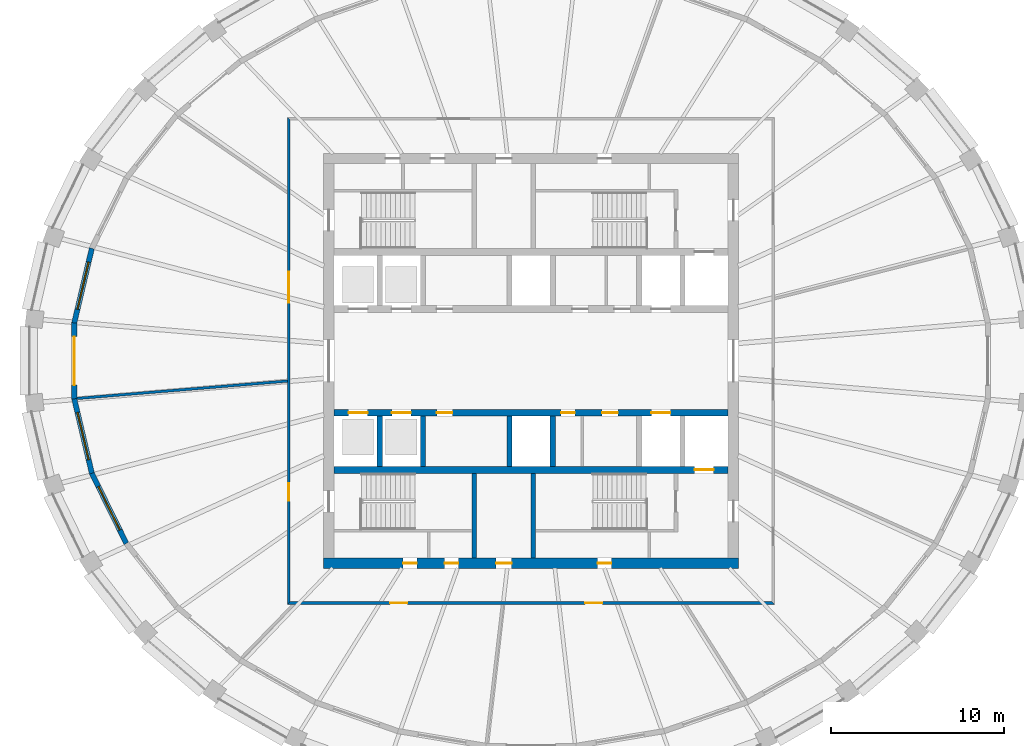
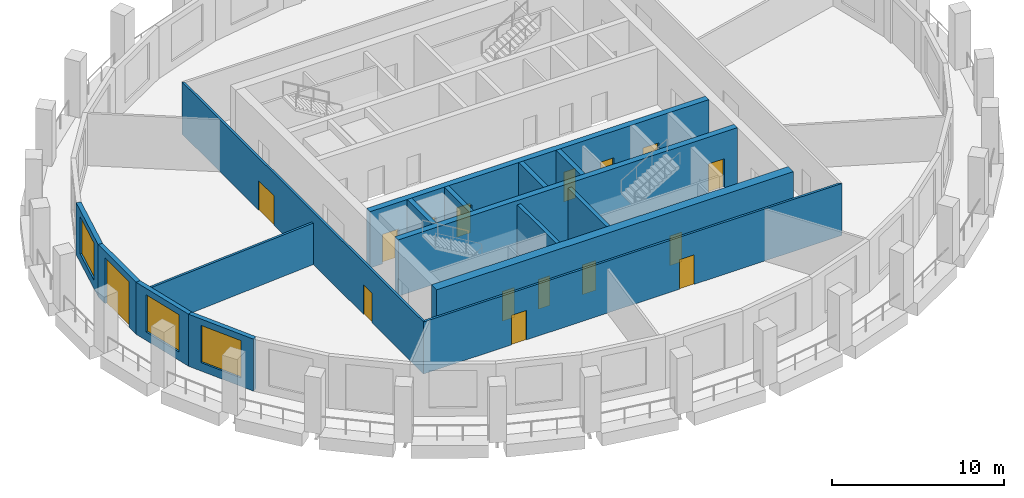
# One storey, part 3 of 10: 16 doors, 16 walls, 3 windows, 19 openings.
"""IFC4 building model written with IfcOpenShell, lengths in metres."""

from ifc_helpers import new_model, si_unit, direction, frame, frame_2d, origin, place, context, subcontext, project, spatial, polyline, rectangle, outline, extrude, material, layer, layer_set, type_object, element, fill, save


model = new_model("IFC4")

# Units and contexts
model_context = context("Model", 3, precision=1e-05, world=origin(), true_north=direction((0.0, 1.0)))
body_context = subcontext(model_context, "Body", "Model", "MODEL_VIEW")
ifc_project = project(units=[si_unit("LENGTHUNIT", "METRE"), si_unit("AREAUNIT", "SQUARE_METRE"), si_unit("VOLUMEUNIT", "CUBIC_METRE"), si_unit("PLANEANGLEUNIT", "RADIAN"), si_unit("MASSUNIT", "GRAM", prefix="KILO")], contexts=[model_context])

# Site, building, storey
site_placement = place(None, origin())
site = spatial("IfcSite", under=ifc_project, at=site_placement, CompositionType="ELEMENT")
building_placement = place(site_placement, origin())
building = spatial("IfcBuilding", under=site, at=building_placement, Name="Halqa Exchange Tower", CompositionType="ELEMENT")
storey_placement = place(building_placement, frame((0.0, 0.0, 300.300048828125)))
storey = spatial("IfcBuildingStorey", under=building, at=storey_placement, Name="L70", CompositionType="ELEMENT", Elevation=300.300048828125)

# Wall, openings, doors
ifc_material_1 = material(Name="Fire-rated gypsum board")
ifc_layer_1 = layer(ifc_material_1, 0.14990234375)
ifc_layer_set_1 = layer_set([ifc_layer_1], Name="Fire-rated gypsum board")
wall_type_1 = type_object("IfcWallType", Name="Fire partition EI 60 150", PredefinedType="PARTITIONING", material=ifc_layer_set_1)
wall_1_placement = place(storey_placement, frame((-14.0, -14.074951171875, 0.0), z_axis=(0.0, 0.0, 1.0), x_axis=(0.0, 1.0, 0.0)))
wall_1 = element("IfcWall", 1, at=wall_1_placement, inside=storey, type_object=wall_type_1, Name="L70-PWL-002", PredefinedType="PARTITIONING", context=body_context, shape_type="SweptSolid", body=[
    extrude(outline(polyline([(0.14990234375, -0.074951171875), (2.13916015625, -0.074951171875), (4.12841796875, -0.074951171875), (6.11767578125, -0.074951171875), (8.107177734375, -0.074951171875), (10.096435546875, -0.074951171875), (12.085693359375, -0.074951171875), (14.074951171875, -0.074951171875), (16.064208984375, -0.074951171875), (18.053466796875, -0.074951171875), (20.042724609375, -0.074951171875), (22.0322265625, -0.074951171875), (24.021484375, -0.074951171875), (26.0107421875, -0.074951171875), (28.0, -0.074951171875), (28.14990234375, 0.074951171875), (26.273193359375, 0.074951171875), (24.396484375, 0.074951171875), (22.52001953125, 0.074951171875), (20.643310546875, 0.074951171875), (18.7666015625, 0.074951171875), (16.889892578125, 0.074951171875), (15.01318359375, 0.074951171875), (13.13671875, 0.074951171875), (11.260009765625, 0.074951171875), (9.38330078125, 0.074951171875), (7.506591796875, 0.074951171875), (5.6298828125, 0.074951171875), (3.75341796875, 0.074951171875), (1.876708984375, 0.074951171875), (0.0, 0.074951171875), (0.14990234375, -0.074951171875)])), origin(), (0.0, 0.0, 1.0), 3.699951171875),
])
opening_1_placement = place(wall_1_placement, frame((17.429931640625, 0.0, 0.0)))
opening_1 = element("IfcOpeningElement", 2, at=opening_1_placement, cuts=wall_1, Name="Opening 21-01", PredefinedType="OPENING", context=body_context, shape_type="SweptSolid", body=[
    extrude(rectangle(XDim=1.800048828125, YDim=2.10009765625, at=frame_2d((0.89990234375, 1.050048828125))), frame((0.0, 0.0869140625, 0.0), z_axis=(0.0, -1.0, 0.0), x_axis=(1.0, 0.0, 0.0)), (0.0, 0.0, 1.0), 0.173828125),
])
opening_2_placement = place(wall_1_placement, frame((5.9951171875, 0.0, 0.0)))
opening_2 = element("IfcOpeningElement", 3, at=opening_2_placement, cuts=wall_1, Name="Opening 21-02", PredefinedType="OPENING", context=body_context, shape_type="SweptSolid", body=[
    extrude(rectangle(XDim=1.0, YDim=2.10009765625, at=frame_2d((0.5, 1.050048828125))), frame((0.0, 0.0869140625, 0.0), z_axis=(0.0, -1.0, 0.0), x_axis=(1.0, 0.0, 0.0)), (0.0, 0.0, 1.0), 0.173828125),
])
ifc_material_2 = material(Name="Steel fire door leaf", Category="steel")
door_type_1 = type_object("IfcDoorType", Name="Fire door FD30S 1000 x 2100", OperationType="SINGLE_SWING_LEFT", PredefinedType="DOOR", material=ifc_material_2)
door_1_placement = place(opening_2_placement, origin())
door_1 = element("IfcDoor", 4, at=door_1_placement, inside=storey, type_object=door_type_1, Name="L70-IDR-002", OperationType="SINGLE_SWING_LEFT", OverallHeight=2.10009765625, OverallWidth=1.0, PredefinedType="DOOR", context=body_context, shape_type="SweptSolid", body=[
    extrude(rectangle(XDim=1.0, YDim=2.10009765625, at=frame_2d((0.5, 1.050048828125))), frame((0.0, 0.02490234375, 0.0), z_axis=(0.0, -1.0, 0.0), x_axis=(1.0, 0.0, 0.0)), (0.0, 0.0, 1.0), 0.050048828125),
])
fill(opening_2, door_1)
door_type_2 = type_object("IfcDoorType", Name="Fire door FD30S double 1800 x 2100", OperationType="DOUBLE_DOOR_SINGLE_SWING", PredefinedType="DOOR", material=ifc_material_2)
door_2_placement = place(opening_1_placement, origin())
door_2 = element("IfcDoor", 5, at=door_2_placement, inside=storey, type_object=door_type_2, Name="L70-IDR-001", OperationType="DOUBLE_DOOR_SINGLE_SWING", OverallHeight=2.10009765625, OverallWidth=1.800048828125, PredefinedType="DOOR", context=body_context, shape_type="SweptSolid", body=[
    extrude(rectangle(XDim=1.800048828125, YDim=2.10009765625, at=frame_2d((0.89990234375, 1.050048828125))), frame((0.0, 0.02490234375, 0.0), z_axis=(0.0, -1.0, 0.0), x_axis=(1.0, 0.0, 0.0)), (0.0, 0.0, 1.0), 0.050048828125),
])
fill(opening_1, door_2)

wall_2_placement = place(storey_placement, frame((-14.074951171875, -14.0, 0.0), z_axis=(0.0, 0.0, 1.0), x_axis=(1.0, 0.0, 0.0)))
wall_2 = element("IfcWall", 6, at=wall_2_placement, inside=storey, type_object=wall_type_1, Name="L70-PWL-003", PredefinedType="PARTITIONING", context=body_context, shape_type="SweptSolid", body=[
    extrude(outline(polyline([(0.0, -0.074951171875), (1.876708984375, -0.074951171875), (3.75341796875, -0.074951171875), (5.6298828125, -0.074951171875), (7.506591796875, -0.074951171875), (9.38330078125, -0.074951171875), (11.260009765625, -0.074951171875), (13.13671875, -0.074951171875), (15.01318359375, -0.074951171875), (16.889892578125, -0.074951171875), (18.7666015625, -0.074951171875), (20.643310546875, -0.074951171875), (22.52001953125, -0.074951171875), (24.396484375, -0.074951171875), (26.273193359375, -0.074951171875), (28.14990234375, -0.074951171875), (28.0, 0.074951171875), (26.0107421875, 0.074951171875), (24.021484375, 0.074951171875), (22.0322265625, 0.074951171875), (20.042724609375, 0.074951171875), (18.053466796875, 0.074951171875), (16.064208984375, 0.074951171875), (14.074951171875, 0.074951171875), (12.085693359375, 0.074951171875), (10.096435546875, 0.074951171875), (8.107177734375, 0.074951171875), (6.11767578125, 0.074951171875), (4.12841796875, 0.074951171875), (2.13916015625, 0.074951171875), (0.14990234375, 0.074951171875), (0.0, -0.074951171875)])), origin(), (0.0, 0.0, 1.0), 3.699951171875),
])
opening_3_placement = place(wall_2_placement, frame((5.929931640625, 0.0, 0.0)))
opening_3 = element("IfcOpeningElement", 7, at=opening_3_placement, cuts=wall_2, Name="Opening 21-03", PredefinedType="OPENING", context=body_context, shape_type="SweptSolid", body=[
    extrude(rectangle(XDim=1.0, YDim=2.10009765625, at=frame_2d((0.5, 1.050048828125))), frame((0.0, 0.0869140625, 0.0), z_axis=(0.0, -1.0, 0.0), x_axis=(1.0, 0.0, 0.0)), (0.0, 0.0, 1.0), 0.173828125),
])
opening_4_placement = place(wall_2_placement, frame((17.199951171875, 0.0, 0.0)))
opening_4 = element("IfcOpeningElement", 8, at=opening_4_placement, cuts=wall_2, Name="Opening 21-04", PredefinedType="OPENING", context=body_context, shape_type="SweptSolid", body=[
    extrude(rectangle(XDim=1.0, YDim=2.10009765625, at=frame_2d((0.5, 1.050048828125))), frame((0.0, 0.0869140625, 0.0), z_axis=(0.0, -1.0, 0.0), x_axis=(1.0, 0.0, 0.0)), (0.0, 0.0, 1.0), 0.173828125),
])
door_3_placement = place(opening_3_placement, frame((1.0, 0.0, 0.0), z_axis=(0.0, 0.0, 1.0), x_axis=(-1.0, 0.0, 0.0)))
door_3 = element("IfcDoor", 9, at=door_3_placement, inside=storey, type_object=door_type_1, Name="L70-IDR-003", OperationType="SINGLE_SWING_RIGHT", OverallHeight=2.10009765625, OverallWidth=1.0, PredefinedType="DOOR", context=body_context, shape_type="SweptSolid", body=[
    extrude(rectangle(XDim=1.0, YDim=2.10009765625, at=frame_2d((0.5, 1.050048828125))), frame((0.0, 0.02490234375, 0.0), z_axis=(0.0, -1.0, 0.0), x_axis=(1.0, 0.0, 0.0)), (0.0, 0.0, 1.0), 0.050048828125),
])
fill(opening_3, door_3)
door_4_placement = place(opening_4_placement, frame((1.0, 0.0, 0.0), z_axis=(0.0, 0.0, 1.0), x_axis=(-1.0, 0.0, 0.0)))
door_4 = element("IfcDoor", 10, at=door_4_placement, inside=storey, type_object=door_type_1, Name="L70-IDR-004", OperationType="SINGLE_SWING_LEFT", OverallHeight=2.10009765625, OverallWidth=1.0, PredefinedType="DOOR", context=body_context, shape_type="SweptSolid", body=[
    extrude(rectangle(XDim=1.0, YDim=2.10009765625, at=frame_2d((0.5, 1.050048828125))), frame((0.0, 0.02490234375, 0.0), z_axis=(0.0, -1.0, 0.0), x_axis=(1.0, 0.0, 0.0)), (0.0, 0.0, 1.0), 0.050048828125),
])
fill(opening_4, door_4)

# Walls
wall_3_placement = place(storey_placement, frame((-14.0693359375, -1.165771484375, 0.0), z_axis=(0.0, 0.0, 1.0), x_axis=(-0.99659010846, -0.082511549014, 0.0)))
element("IfcWall", 11, at=wall_3_placement, inside=storey, type_object=wall_type_1, Name="L70-PWL-004", PredefinedType="PARTITIONING", context=body_context, shape_type="SweptSolid", body=[
    extrude(outline(polyline([(12.22314453125, -0.074951171875), (12.22314453125, 0.046630859375), (12.218994140625, 0.074951171875), (10.47509765625, 0.074951171875), (8.731201171875, 0.074951171875), (6.9873046875, 0.074951171875), (5.243408203125, 0.074951171875), (3.49951171875, 0.074951171875), (1.755859375, 0.074951171875), (0.011962890625, 0.074951171875), (0.0, -0.068603515625), (0.0, -0.074951171875), (1.74609375, -0.074951171875), (3.492431640625, -0.074951171875), (5.238525390625, -0.074951171875), (6.984619140625, -0.074951171875), (8.730712890625, -0.074951171875), (10.47705078125, -0.074951171875), (12.22314453125, -0.074951171875)])), origin(), (0.0, 0.0, 1.0), 2.947021484375),
])
ifc_material_3 = material(Name="Concrete C60/75", Category="concrete")
ifc_layer_2 = layer(ifc_material_3, 0.300048828125)
ifc_layer_set_2 = layer_set([ifc_layer_2], Name="Concrete C60/75")
wall_type_2 = type_object("IfcWallType", Name="RC core wall 300", PredefinedType="SHEAR", material=ifc_layer_set_2)
for number, where, z_axis, x_axis, name in (
    (12, (-8.75, -6.10009765625, 0.0), (0.0, 0.0, 1.0), (0.0, 1.0, 0.0), "Shaft divider S1"),
    (13, (-6.25, -6.10009765625, 0.0), (0.0, 0.0, 1.0), (0.0, 1.0, 0.0), "Shaft divider S2"),
    (14, (-1.25, -6.10009765625, 0.0), (0.0, 0.0, 1.0), (0.0, 1.0, 0.0), "Shaft divider S4"),
    (15, (1.25, -6.10009765625, 0.0), (0.0, 0.0, 1.0), (0.0, 1.0, 0.0), "Shaft divider S5"),
):
    element("IfcWall", number, at=place(storey_placement, frame(where, z_axis=z_axis, x_axis=x_axis)), inside=storey, type_object=wall_type_2, Name=name, PredefinedType="SHEAR", context=body_context, shape_type="SweptSolid", body=[
        extrude(rectangle(XDim=2.900146484375, YDim=0.300048828125, at=frame_2d((1.4501953125, 0.0))), origin(), (0.0, 0.0, 1.0), 4.0),
    ])

# Wall, openings, doors
ifc_layer_3 = layer(ifc_material_3, 0.39990234375)
ifc_layer_set_3 = layer_set([ifc_layer_3], Name="Concrete C60/75")
wall_type_3 = type_object("IfcWallType", Name="RC core wall 400 C60/75", PredefinedType="SHEAR", material=ifc_layer_set_3)
wall_4_placement = place(storey_placement, frame((-11.39990234375, -3.0, 0.0), z_axis=(0.0, 0.0, 1.0), x_axis=(1.0, 0.0, 0.0)))
wall_4 = element("IfcWall", 16, at=wall_4_placement, inside=storey, type_object=wall_type_3, Name="Lift row front wall S", PredefinedType="SHEAR", context=body_context, shape_type="SweptSolid", body=[
    extrude(rectangle(XDim=22.7998046875, YDim=0.39990234375, at=frame_2d((11.39990234375, 0.0))), origin(), (0.0, 0.0, 1.0), 4.0),
])
opening_5_placement = place(wall_4_placement, frame((0.85009765625, 0.0, 0.0)))
opening_5 = element("IfcOpeningElement", 17, at=opening_5_placement, cuts=wall_4, Name="Opening LD-HR3-T21", PredefinedType="OPENING", context=body_context, shape_type="SweptSolid", body=[
    extrude(rectangle(XDim=1.10009765625, YDim=2.10009765625, at=frame_2d((0.550048828125, 1.050048828125))), frame((0.0, 0.2119140625, 0.0), z_axis=(0.0, -1.0, 0.0), x_axis=(1.0, 0.0, 0.0)), (0.0, 0.0, 1.0), 0.423828125),
])
opening_6_placement = place(wall_4_placement, frame((3.35009765625, 0.0, 0.0)))
opening_6 = element("IfcOpeningElement", 18, at=opening_6_placement, cuts=wall_4, Name="Opening LD-HR4-T21", PredefinedType="OPENING", context=body_context, shape_type="SweptSolid", body=[
    extrude(rectangle(XDim=1.10009765625, YDim=2.10009765625, at=frame_2d((0.550048828125, 1.050048828125))), frame((0.0, 0.2119140625, 0.0), z_axis=(0.0, -1.0, 0.0), x_axis=(1.0, 0.0, 0.0)), (0.0, 0.0, 1.0), 0.423828125),
])
opening_7_placement = place(wall_4_placement, frame((18.35009765625, 0.0, 0.0)))
opening_7 = element("IfcOpeningElement", 19, at=opening_7_placement, cuts=wall_4, Name="Opening LD-SV2-T21", PredefinedType="OPENING", context=body_context, shape_type="SweptSolid", body=[
    extrude(rectangle(XDim=1.10009765625, YDim=2.10009765625, at=frame_2d((0.550048828125, 1.050048828125))), frame((0.0, 0.2119140625, 0.0), z_axis=(0.0, -1.0, 0.0), x_axis=(1.0, 0.0, 0.0)), (0.0, 0.0, 1.0), 0.423828125),
])
opening_8_placement = place(wall_4_placement, frame((13.137451171875, 0.0, 0.0)))
opening_8 = element("IfcOpeningElement", 20, at=opening_8_placement, cuts=wall_4, Name="Opening T21-C28", PredefinedType="OPENING", context=body_context, shape_type="SweptSolid", body=[
    extrude(rectangle(XDim=0.800048828125, YDim=2.10009765625, at=frame_2d((0.39990234375, 1.050048828125))), frame((0.0, 0.2119140625, 0.0), z_axis=(0.0, -1.0, 0.0), x_axis=(1.0, 0.0, 0.0)), (0.0, 0.0, 1.0), 0.423828125),
])
opening_9_placement = place(wall_4_placement, frame((15.512451171875, 0.0, 0.0)))
opening_9 = element("IfcOpeningElement", 21, at=opening_9_placement, cuts=wall_4, Name="Opening T21-C29", PredefinedType="OPENING", context=body_context, shape_type="SweptSolid", body=[
    extrude(rectangle(XDim=0.89990234375, YDim=2.10009765625, at=frame_2d((0.449951171875, 1.050048828125))), frame((0.0, 0.2119140625, 0.0), z_axis=(0.0, -1.0, 0.0), x_axis=(1.0, 0.0, 0.0)), (0.0, 0.0, 1.0), 0.423828125),
])
opening_10_placement = place(wall_4_placement, frame((5.949951171875, 0.0, 0.0)))
opening_10 = element("IfcOpeningElement", 22, at=opening_10_placement, cuts=wall_4, Name="Opening T21-C30", PredefinedType="OPENING", context=body_context, shape_type="SweptSolid", body=[
    extrude(rectangle(XDim=0.89990234375, YDim=2.10009765625, at=frame_2d((0.449951171875, 1.050048828125))), frame((0.0, 0.2119140625, 0.0), z_axis=(0.0, -1.0, 0.0), x_axis=(1.0, 0.0, 0.0)), (0.0, 0.0, 1.0), 0.423828125),
])
ifc_material_4 = material(Name="Timber fire door leaf", Category="wood")
door_type_3 = type_object("IfcDoorType", Name="Core room door FD30 900 x 2100", OperationType="SINGLE_SWING_LEFT", PredefinedType="DOOR", material=ifc_material_4)
door_5_placement = place(opening_9_placement, frame((0.89990234375, 0.0, 0.0), z_axis=(0.0, 0.0, 1.0), x_axis=(-1.0, 0.0, 0.0)))
door_5 = element("IfcDoor", 23, at=door_5_placement, inside=storey, type_object=door_type_3, Name="Core room door", OperationType="SINGLE_SWING_RIGHT", OverallHeight=2.10009765625, OverallWidth=0.89990234375, PredefinedType="DOOR", context=body_context, shape_type="SweptSolid", body=[
    extrude(rectangle(XDim=0.89990234375, YDim=2.10009765625, at=frame_2d((0.449951171875, 1.050048828125))), frame((0.0, 0.02490234375, 0.0), z_axis=(0.0, -1.0, 0.0), x_axis=(1.0, 0.0, 0.0)), (0.0, 0.0, 1.0), 0.050048828125),
])
fill(opening_9, door_5)
door_6_placement = place(opening_10_placement, frame((0.89990234375, 0.0, 0.0), z_axis=(0.0, 0.0, 1.0), x_axis=(-1.0, 0.0, 0.0)))
door_6 = element("IfcDoor", 24, at=door_6_placement, inside=storey, type_object=door_type_3, Name="Core room door", OperationType="SINGLE_SWING_LEFT", OverallHeight=2.10009765625, OverallWidth=0.89990234375, PredefinedType="DOOR", context=body_context, shape_type="SweptSolid", body=[
    extrude(rectangle(XDim=0.89990234375, YDim=2.10009765625, at=frame_2d((0.449951171875, 1.050048828125))), frame((0.0, 0.02490234375, 0.0), z_axis=(0.0, -1.0, 0.0), x_axis=(1.0, 0.0, 0.0)), (0.0, 0.0, 1.0), 0.050048828125),
])
fill(opening_10, door_6)
ifc_material_5 = material(Name="Stainless steel", Category="steel")
door_type_4 = type_object("IfcDoorType", Name="Lift landing door 1100 x 2100", OperationType="SLIDING_TO_LEFT", PredefinedType="DOOR", material=ifc_material_5)
door_7_placement = place(opening_5_placement, origin())
door_7 = element("IfcDoor", 25, at=door_7_placement, inside=storey, type_object=door_type_4, Name="Lift landing door HR3", OperationType="SLIDING_TO_LEFT", OverallHeight=2.10009765625, OverallWidth=1.10009765625, PredefinedType="DOOR", context=body_context, shape_type="SweptSolid", body=[
    extrude(rectangle(XDim=1.10009765625, YDim=2.10009765625, at=frame_2d((0.550048828125, 1.050048828125))), frame((0.0, 0.02490234375, 0.0), z_axis=(0.0, -1.0, 0.0), x_axis=(1.0, 0.0, 0.0)), (0.0, 0.0, 1.0), 0.050048828125),
])
fill(opening_5, door_7)
door_8_placement = place(opening_6_placement, origin())
door_8 = element("IfcDoor", 26, at=door_8_placement, inside=storey, type_object=door_type_4, Name="Lift landing door HR4", OperationType="SLIDING_TO_LEFT", OverallHeight=2.10009765625, OverallWidth=1.10009765625, PredefinedType="DOOR", context=body_context, shape_type="SweptSolid", body=[
    extrude(rectangle(XDim=1.10009765625, YDim=2.10009765625, at=frame_2d((0.550048828125, 1.050048828125))), frame((0.0, 0.02490234375, 0.0), z_axis=(0.0, -1.0, 0.0), x_axis=(1.0, 0.0, 0.0)), (0.0, 0.0, 1.0), 0.050048828125),
])
fill(opening_6, door_8)
door_9_placement = place(opening_7_placement, origin())
door_9 = element("IfcDoor", 27, at=door_9_placement, inside=storey, type_object=door_type_4, Name="Lift landing door SV2", OperationType="SLIDING_TO_LEFT", OverallHeight=2.10009765625, OverallWidth=1.10009765625, PredefinedType="DOOR", context=body_context, shape_type="SweptSolid", body=[
    extrude(rectangle(XDim=1.10009765625, YDim=2.10009765625, at=frame_2d((0.550048828125, 1.050048828125))), frame((0.0, 0.02490234375, 0.0), z_axis=(0.0, -1.0, 0.0), x_axis=(1.0, 0.0, 0.0)), (0.0, 0.0, 1.0), 0.050048828125),
])
fill(opening_7, door_9)
door_type_5 = type_object("IfcDoorType", Name="Riser door FD60 800 x 2100", OperationType="SINGLE_SWING_LEFT", PredefinedType="DOOR", material=ifc_material_2)
door_10_placement = place(opening_8_placement, frame((0.800048828125, 0.0, 0.0), z_axis=(0.0, 0.0, 1.0), x_axis=(-1.0, 0.0, 0.0)))
door_10 = element("IfcDoor", 28, at=door_10_placement, inside=storey, type_object=door_type_5, Name="Core room door", OperationType="SINGLE_SWING_RIGHT", OverallHeight=2.10009765625, OverallWidth=0.800048828125, PredefinedType="DOOR", context=body_context, shape_type="SweptSolid", body=[
    extrude(rectangle(XDim=0.800048828125, YDim=2.10009765625, at=frame_2d((0.39990234375, 1.050048828125))), frame((0.0, 0.02490234375, 0.0), z_axis=(0.0, -1.0, 0.0), x_axis=(1.0, 0.0, 0.0)), (0.0, 0.0, 1.0), 0.050048828125),
])
fill(opening_8, door_10)

# Wall, opening, door
wall_5_placement = place(storey_placement, frame((-11.39990234375, -6.300048828125, 0.0), z_axis=(0.0, 0.0, 1.0), x_axis=(1.0, 0.0, 0.0)))
wall_5 = element("IfcWall", 29, at=wall_5_placement, inside=storey, type_object=wall_type_3, Name="Lift row back wall S", PredefinedType="SHEAR", context=body_context, shape_type="SweptSolid", body=[
    extrude(rectangle(XDim=22.7998046875, YDim=0.39990234375, at=frame_2d((11.39990234375, 0.0))), origin(), (0.0, 0.0, 1.0), 4.0),
])
opening_11_placement = place(wall_5_placement, frame((20.85009765625, 0.0, 0.0)))
opening_11 = element("IfcOpeningElement", 30, at=opening_11_placement, cuts=wall_5, Name="Opening LD-FF2-T21", PredefinedType="OPENING", context=body_context, shape_type="SweptSolid", body=[
    extrude(rectangle(XDim=1.10009765625, YDim=2.10009765625, at=frame_2d((0.550048828125, 1.050048828125))), frame((0.0, 0.2119140625, 0.0), z_axis=(0.0, -1.0, 0.0), x_axis=(1.0, 0.0, 0.0)), (0.0, 0.0, 1.0), 0.423828125),
])
door_11_placement = place(opening_11_placement, origin())
door_11 = element("IfcDoor", 31, at=door_11_placement, inside=storey, type_object=door_type_4, Name="Lift landing door FF2", OperationType="SLIDING_TO_LEFT", OverallHeight=2.10009765625, OverallWidth=1.10009765625, PredefinedType="DOOR", context=body_context, shape_type="SweptSolid", body=[
    extrude(rectangle(XDim=1.10009765625, YDim=2.10009765625, at=frame_2d((0.550048828125, 1.050048828125))), frame((0.0, 0.02490234375, 0.0), z_axis=(0.0, -1.0, 0.0), x_axis=(1.0, 0.0, 0.0)), (0.0, 0.0, 1.0), 0.050048828125),
])
fill(opening_11, door_11)

# Wall, openings, doors
ifc_layer_4 = layer(ifc_material_3, 0.60009765625)
ifc_layer_set_4 = layer_set([ifc_layer_4], Name="Concrete C60/75")
wall_type_4 = type_object("IfcWallType", Name="RC core wall 600 C60/75", PredefinedType="SHEAR", material=ifc_layer_set_4)
wall_6_placement = place(storey_placement, frame((-12.0, -11.699951171875, 0.0), z_axis=(0.0, 0.0, 1.0), x_axis=(1.0, 0.0, 0.0)))
wall_6 = element("IfcWall", 32, at=wall_6_placement, inside=storey, type_object=wall_type_4, Name="Core wall south", PredefinedType="SHEAR", context=body_context, shape_type="SweptSolid", body=[
    extrude(rectangle(XDim=24.0, YDim=0.60009765625, at=frame_2d((12.0, 0.0))), origin(), (0.0, 0.0, 1.0), 4.0),
])
opening_12_placement = place(wall_6_placement, frame((9.97509765625, 0.0, 0.0)))
opening_12 = element("IfcOpeningElement", 33, at=opening_12_placement, cuts=wall_6, Name="Opening T21-C21", PredefinedType="OPENING", context=body_context, shape_type="SweptSolid", body=[
    extrude(rectangle(XDim=0.89990234375, YDim=2.10009765625, at=frame_2d((0.449951171875, 1.050048828125))), frame((0.0, 0.31201171875, 0.0), z_axis=(0.0, -1.0, 0.0), x_axis=(1.0, 0.0, 0.0)), (0.0, 0.0, 1.0), 0.6240234375),
])
opening_13_placement = place(wall_6_placement, frame((4.60009765625, 0.0, 0.0)))
opening_13 = element("IfcOpeningElement", 34, at=opening_13_placement, cuts=wall_6, Name="Opening T21-C22", PredefinedType="OPENING", context=body_context, shape_type="SweptSolid", body=[
    extrude(rectangle(XDim=0.800048828125, YDim=2.10009765625, at=frame_2d((0.39990234375, 1.050048828125))), frame((0.0, 0.31201171875, 0.0), z_axis=(0.0, -1.0, 0.0), x_axis=(1.0, 0.0, 0.0)), (0.0, 0.0, 1.0), 0.6240234375),
])
opening_14_placement = place(wall_6_placement, frame((7.0, 0.0, 0.0)))
opening_14 = element("IfcOpeningElement", 35, at=opening_14_placement, cuts=wall_6, Name="Opening T21-C23", PredefinedType="OPENING", context=body_context, shape_type="SweptSolid", body=[
    extrude(rectangle(XDim=0.800048828125, YDim=2.10009765625, at=frame_2d((0.39990234375, 1.050048828125))), frame((0.0, 0.31201171875, 0.0), z_axis=(0.0, -1.0, 0.0), x_axis=(1.0, 0.0, 0.0)), (0.0, 0.0, 1.0), 0.6240234375),
])
opening_15_placement = place(wall_6_placement, frame((15.85009765625, 0.0, 0.0)))
opening_15 = element("IfcOpeningElement", 36, at=opening_15_placement, cuts=wall_6, Name="Opening T21-C24", PredefinedType="OPENING", context=body_context, shape_type="SweptSolid", body=[
    extrude(rectangle(XDim=0.800048828125, YDim=2.10009765625, at=frame_2d((0.39990234375, 1.050048828125))), frame((0.0, 0.31201171875, 0.0), z_axis=(0.0, -1.0, 0.0), x_axis=(1.0, 0.0, 0.0)), (0.0, 0.0, 1.0), 0.6240234375),
])
door_12_placement = place(opening_12_placement, origin())
door_12 = element("IfcDoor", 37, at=door_12_placement, inside=storey, type_object=door_type_3, Name="Core room door", OperationType="SINGLE_SWING_LEFT", OverallHeight=2.10009765625, OverallWidth=0.89990234375, PredefinedType="DOOR", context=body_context, shape_type="SweptSolid", body=[
    extrude(rectangle(XDim=0.89990234375, YDim=2.10009765625, at=frame_2d((0.449951171875, 1.050048828125))), frame((0.0, 0.02490234375, 0.0), z_axis=(0.0, -1.0, 0.0), x_axis=(1.0, 0.0, 0.0)), (0.0, 0.0, 1.0), 0.050048828125),
])
fill(opening_12, door_12)
door_13_placement = place(opening_13_placement, origin())
door_13 = element("IfcDoor", 38, at=door_13_placement, inside=storey, type_object=door_type_5, Name="Core room door", OperationType="SINGLE_SWING_LEFT", OverallHeight=2.10009765625, OverallWidth=0.800048828125, PredefinedType="DOOR", context=body_context, shape_type="SweptSolid", body=[
    extrude(rectangle(XDim=0.800048828125, YDim=2.10009765625, at=frame_2d((0.39990234375, 1.050048828125))), frame((0.0, 0.02490234375, 0.0), z_axis=(0.0, -1.0, 0.0), x_axis=(1.0, 0.0, 0.0)), (0.0, 0.0, 1.0), 0.050048828125),
])
fill(opening_13, door_13)
door_14_placement = place(opening_14_placement, origin())
door_14 = element("IfcDoor", 39, at=door_14_placement, inside=storey, type_object=door_type_5, Name="Core room door", OperationType="SINGLE_SWING_LEFT", OverallHeight=2.10009765625, OverallWidth=0.800048828125, PredefinedType="DOOR", context=body_context, shape_type="SweptSolid", body=[
    extrude(rectangle(XDim=0.800048828125, YDim=2.10009765625, at=frame_2d((0.39990234375, 1.050048828125))), frame((0.0, 0.02490234375, 0.0), z_axis=(0.0, -1.0, 0.0), x_axis=(1.0, 0.0, 0.0)), (0.0, 0.0, 1.0), 0.050048828125),
])
fill(opening_14, door_14)
door_15_placement = place(opening_15_placement, origin())
door_15 = element("IfcDoor", 40, at=door_15_placement, inside=storey, type_object=door_type_5, Name="Core room door", OperationType="SINGLE_SWING_LEFT", OverallHeight=2.10009765625, OverallWidth=0.800048828125, PredefinedType="DOOR", context=body_context, shape_type="SweptSolid", body=[
    extrude(rectangle(XDim=0.800048828125, YDim=2.10009765625, at=frame_2d((0.39990234375, 1.050048828125))), frame((0.0, 0.02490234375, 0.0), z_axis=(0.0, -1.0, 0.0), x_axis=(1.0, 0.0, 0.0)), (0.0, 0.0, 1.0), 0.050048828125),
])
fill(opening_15, door_15)

# Walls
ifc_material_6 = material(Name="Concrete C30/37", Category="concrete")
ifc_layer_5 = layer(ifc_material_6, 0.25)
ifc_layer_set_5 = layer_set([ifc_layer_5], Name="Concrete C30/37")
wall_type_5 = type_object("IfcWallType", Name="RC stair wall 250 C30/37", PredefinedType="SHEAR", material=ifc_layer_set_5)
for number, where, z_axis, x_axis, name in (
    (41, (-3.27490234375, -11.39990234375, 0.0), (0.0, 0.0, 1.0), (0.0, 1.0, 0.0), "Stair ST1 east wall S"),
    (42, (0.125, -11.39990234375, 0.0), (0.0, 0.0, 1.0), (0.0, 1.0, 0.0), "Stair ST2 west wall S"),
):
    element("IfcWall", number, at=place(storey_placement, frame(where, z_axis=z_axis, x_axis=x_axis)), inside=storey, type_object=wall_type_5, Name=name, PredefinedType="SHEAR", context=body_context, shape_type="SweptSolid", body=[
        extrude(rectangle(XDim=4.89990234375, YDim=0.25, at=frame_2d((2.449951171875, 0.0))), origin(), (0.0, 0.0, 1.0), 3.699951171875),
    ])

# Wall, opening, window
ifc_material_7 = material(Name="Limestone cladding", Category="masonry")
ifc_layer_6 = layer(ifc_material_7, 0.0400390625)
ifc_material_8 = material(Name="Ventilated cavity")
ifc_layer_7 = layer(ifc_material_8, 0.030029296875, ventilated=True)
ifc_material_9 = material(Name="Mineral wool insulation")
ifc_layer_8 = layer(ifc_material_9, 0.10009765625)
ifc_layer_9 = layer(ifc_material_6, 0.10009765625)
ifc_material_10 = material(Name="Internal plaster")
ifc_layer_10 = layer(ifc_material_10, 0.030029296875)
ifc_layer_set_6 = layer_set([ifc_layer_6, ifc_layer_7, ifc_layer_8, ifc_layer_9, ifc_layer_10], Name="Stone-faced insulated wall 300")
wall_type_6 = type_object("IfcWallType", Name="Stone-faced insulated wall 300", PredefinedType="STANDARD", material=ifc_layer_set_6)
wall_7_placement = place(storey_placement, frame((-25.39013671875, 6.499755859375, 0.0), z_axis=(0.0, 0.0, 1.0), x_axis=(-0.229943714271, -0.973203929435, 0.0)))
wall_7 = element("IfcWall", 43, at=wall_7_placement, inside=storey, type_object=wall_type_6, Name="Glass-line wall 15", PredefinedType="STANDARD", context=body_context, shape_type="SweptSolid", body=[
    extrude(outline(polyline([(-0.016845703125, -0.14990234375), (4.440673828125, -0.14990234375), (4.405517578125, 0.14990234375), (0.016845703125, 0.14990234375), (-0.016845703125, -0.14990234375)])), origin(), (0.0, 0.0, 1.0), 3.699951171875),
])
opening_16_placement = place(wall_7_placement, frame((0.8115234375, 0.0, 0.60009765625)))
opening_16 = element("IfcOpeningElement", 44, at=opening_16_placement, cuts=wall_7, Name="Opening W-F4-15", PredefinedType="OPENING", context=body_context, shape_type="SweptSolid", body=[
    extrude(rectangle(XDim=2.800048828125, YDim=2.64990234375, at=frame_2d((1.39990234375, 1.324951171875))), frame((0.0, 0.162109375, 0.0), z_axis=(0.0, -1.0, 0.0), x_axis=(1.0, 0.0, 0.0)), (0.0, 0.0, 1.0), 0.323974609375),
])
ifc_material_11 = material(Name="Clear low-emissivity glass in aluminium frame", Category="aluminium")
window_type = type_object("IfcWindowType", Name="Fixed clear glazed window 2800 x 2650", PartitioningType="DOUBLE_PANEL_VERTICAL", PredefinedType="WINDOW", material=ifc_material_11)
window_1_placement = place(opening_16_placement, origin())
window_1 = element("IfcWindow", 45, at=window_1_placement, inside=storey, type_object=window_type, Name="Window 4", OverallHeight=2.64990234375, OverallWidth=2.800048828125, PartitioningType="DOUBLE_PANEL_VERTICAL", PredefinedType="WINDOW", context=body_context, shape_type="SweptSolid", body=[
    extrude(rectangle(XDim=2.800048828125, YDim=2.64990234375, at=frame_2d((1.39990234375, 1.324951171875))), frame((0.0, 0.030029296875, 0.0), z_axis=(0.0, -1.0, 0.0), x_axis=(1.0, 0.0, 0.0)), (0.0, 0.0, 1.0), 0.06005859375),
])
fill(opening_16, window_1)

# Wall, opening, door
wall_8_placement = place(storey_placement, frame((-26.4072265625, 2.195068359375, 0.0), z_axis=(0.0, 0.0, 1.0), x_axis=(0.0, -1.0, 0.0)))
wall_8 = element("IfcWall", 46, at=wall_8_placement, inside=storey, type_object=wall_type_6, Name="Glass-line wall 16", PredefinedType="STANDARD", context=body_context, shape_type="SweptSolid", body=[
    extrude(outline(polyline([(-0.017578125, -0.14990234375), (4.40771484375, -0.14990234375), (4.37255859375, 0.14990234375), (0.017578125, 0.14990234375), (-0.017578125, -0.14990234375)])), origin(), (0.0, 0.0, 1.0), 3.699951171875),
])
opening_17_placement = place(wall_8_placement, frame((0.794921875, 0.0, 0.0)))
opening_17 = element("IfcOpeningElement", 47, at=opening_17_placement, cuts=wall_8, Name="Opening LG-F4-04", PredefinedType="OPENING", context=body_context, shape_type="SweptSolid", body=[
    extrude(rectangle(XDim=2.800048828125, YDim=3.25, at=frame_2d((1.39990234375, 1.625))), frame((0.0, 0.162109375, 0.0), z_axis=(0.0, -1.0, 0.0), x_axis=(1.0, 0.0, 0.0)), (0.0, 0.0, 1.0), 0.323974609375),
])
door_type_6 = type_object("IfcDoorType", Name="Glazed sliding loggia door 2800 x 3250", OperationType="DOUBLE_DOOR_SLIDING", PredefinedType="DOOR", material=ifc_material_11)
door_16_placement = place(opening_17_placement, origin())
door_16 = element("IfcDoor", 48, at=door_16_placement, inside=storey, type_object=door_type_6, Name="Loggia door 4", OperationType="DOUBLE_DOOR_SLIDING", OverallHeight=3.25, OverallWidth=2.800048828125, PredefinedType="DOOR", context=body_context, shape_type="SweptSolid", body=[
    extrude(rectangle(XDim=2.800048828125, YDim=3.25, at=frame_2d((1.39990234375, 1.625))), frame((0.0, 0.02490234375, 0.0), z_axis=(0.0, -1.0, 0.0), x_axis=(1.0, 0.0, 0.0)), (0.0, 0.0, 1.0), 0.050048828125),
])
fill(opening_17, door_16)

# Wall, opening, window
wall_9_placement = place(storey_placement, frame((-26.4072265625, -2.195068359375, 0.0), z_axis=(0.0, 0.0, 1.0), x_axis=(0.229943714271, -0.973203929435, 0.0)))
wall_9 = element("IfcWall", 49, at=wall_9_placement, inside=storey, type_object=wall_type_6, Name="Glass-line wall 17", PredefinedType="STANDARD", context=body_context, shape_type="SweptSolid", body=[
    extrude(outline(polyline([(-0.017578125, -0.14990234375), (4.43994140625, -0.14990234375), (4.40625, 0.14990234375), (0.017578125, 0.14990234375), (-0.017578125, -0.14990234375)])), origin(), (0.0, 0.0, 1.0), 3.699951171875),
])
opening_18_placement = place(wall_9_placement, frame((0.8115234375, 0.0, 0.60009765625)))
opening_18 = element("IfcOpeningElement", 50, at=opening_18_placement, cuts=wall_9, Name="Opening W-F4-17", PredefinedType="OPENING", context=body_context, shape_type="SweptSolid", body=[
    extrude(rectangle(XDim=2.800048828125, YDim=2.64990234375, at=frame_2d((1.39990234375, 1.324951171875))), frame((0.0, 0.162109375, 0.0), z_axis=(0.0, -1.0, 0.0), x_axis=(1.0, 0.0, 0.0)), (0.0, 0.0, 1.0), 0.323974609375),
])
window_2_placement = place(opening_18_placement, origin())
window_2 = element("IfcWindow", 51, at=window_2_placement, inside=storey, type_object=window_type, Name="Window 4", OverallHeight=2.64990234375, OverallWidth=2.800048828125, PartitioningType="DOUBLE_PANEL_VERTICAL", PredefinedType="WINDOW", context=body_context, shape_type="SweptSolid", body=[
    extrude(rectangle(XDim=2.800048828125, YDim=2.64990234375, at=frame_2d((1.39990234375, 1.324951171875))), frame((0.0, 0.030029296875, 0.0), z_axis=(0.0, -1.0, 0.0), x_axis=(1.0, 0.0, 0.0)), (0.0, 0.0, 1.0), 0.06005859375),
])
fill(opening_18, window_2)

wall_10_placement = place(storey_placement, frame((-25.39013671875, -6.499755859375, 0.0), z_axis=(0.0, 0.0, 1.0), x_axis=(0.441431671743, -0.897294867467, 0.0)))
wall_10 = element("IfcWall", 52, at=wall_10_placement, inside=storey, type_object=wall_type_6, Name="Glass-line wall 18", PredefinedType="STANDARD", context=body_context, shape_type="SweptSolid", body=[
    extrude(outline(polyline([(-0.016845703125, -0.14990234375), (4.532958984375, -0.14990234375), (4.500732421875, 0.14990234375), (0.016845703125, 0.14990234375), (-0.016845703125, -0.14990234375)])), origin(), (0.0, 0.0, 1.0), 3.699951171875),
])
opening_19_placement = place(wall_10_placement, frame((0.8583984375, 0.0, 0.60009765625)))
opening_19 = element("IfcOpeningElement", 53, at=opening_19_placement, cuts=wall_10, Name="Opening W-F4-18", PredefinedType="OPENING", context=body_context, shape_type="SweptSolid", body=[
    extrude(rectangle(XDim=2.800048828125, YDim=2.64990234375, at=frame_2d((1.39990234375, 1.324951171875))), frame((0.0, 0.162109375, 0.0), z_axis=(0.0, -1.0, 0.0), x_axis=(1.0, 0.0, 0.0)), (0.0, 0.0, 1.0), 0.323974609375),
])
window_3_placement = place(opening_19_placement, origin())
window_3 = element("IfcWindow", 54, at=window_3_placement, inside=storey, type_object=window_type, Name="Window 4", OverallHeight=2.64990234375, OverallWidth=2.800048828125, PartitioningType="DOUBLE_PANEL_VERTICAL", PredefinedType="WINDOW", context=body_context, shape_type="SweptSolid", body=[
    extrude(rectangle(XDim=2.800048828125, YDim=2.64990234375, at=frame_2d((1.39990234375, 1.324951171875))), frame((0.0, 0.030029296875, 0.0), z_axis=(0.0, -1.0, 0.0), x_axis=(1.0, 0.0, 0.0)), (0.0, 0.0, 1.0), 0.06005859375),
])
fill(opening_19, window_3)

save(model, "model.ifc")
